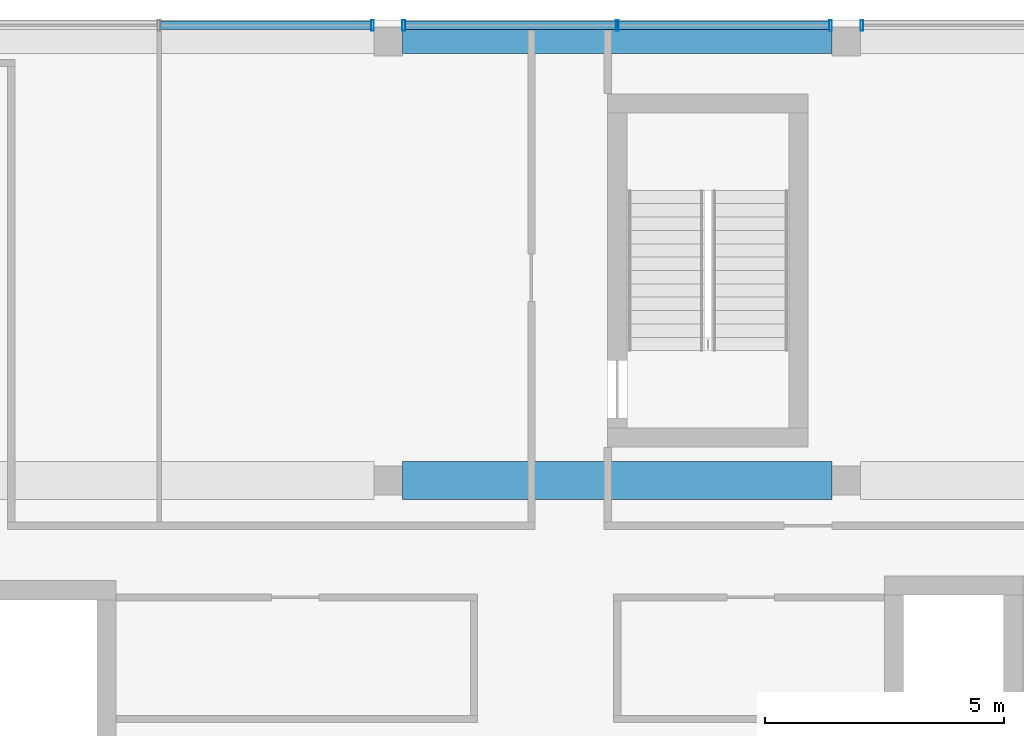
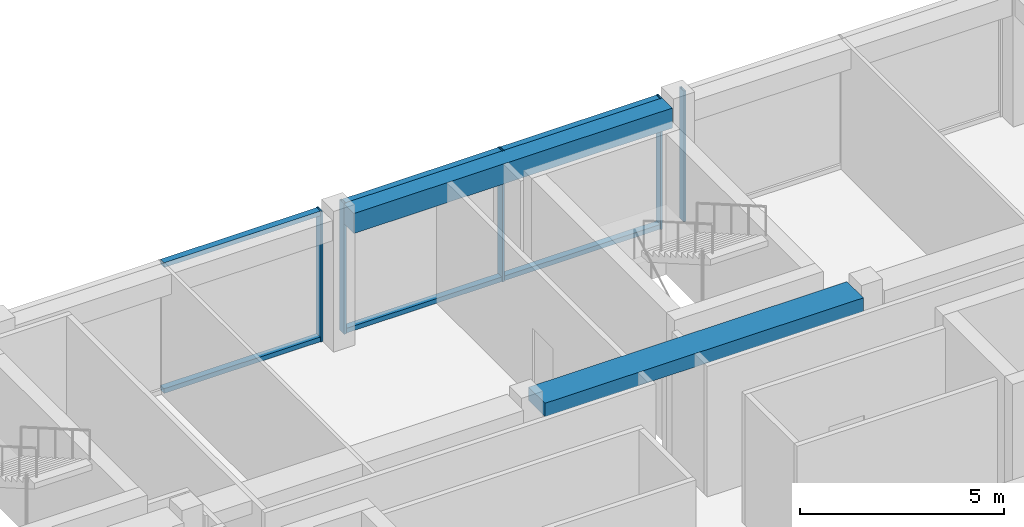
# One storey, part 16 of 28: 11 members, 2 beams, 3 elements without a shape of their own.
"""IFC4 building model written with IfcOpenShell, lengths in metres."""

from ifc_helpers import new_model, si_unit, direction, frame, origin, origin_2d, place, context, subcontext, project, spatial, rectangle, hollow_rectangle, extrude, material, layer, layer_set, material_profile, profile_set, type_object, element, aggregate, save


model = new_model("IFC4")

# Units and contexts
model_context = context("Model", 3, precision=1e-05, world=origin(), true_north=direction((0.0, 1.0)))
body_context = subcontext(model_context, "Body", "Model", "MODEL_VIEW")
ifc_project = project(units=[si_unit("LENGTHUNIT", "METRE"), si_unit("AREAUNIT", "SQUARE_METRE"), si_unit("VOLUMEUNIT", "CUBIC_METRE"), si_unit("PLANEANGLEUNIT", "RADIAN"), si_unit("MASSUNIT", "GRAM", prefix="KILO")], contexts=[model_context])

# Site, building, storey
site_placement = place(None, origin())
site = spatial("IfcSite", under=ifc_project, at=site_placement, CompositionType="ELEMENT")
building_placement = place(site_placement, origin())
building = spatial("IfcBuilding", under=site, at=building_placement, Name="Nzadi Deep Aquarium and Research Tower", CompositionType="ELEMENT")
storey_placement = place(building_placement, frame((0.0, 0.0, 73.89990234375)))
storey = spatial("IfcBuildingStorey", under=building, at=storey_placement, Name="L15", CompositionType="ELEMENT", Elevation=73.89990234375)

# Curtain wall, member
ifc_material_1 = material(Name="Aluminium unitised frame deep", Category="aluminium")
ifc_layer = layer(ifc_material_1, 0.22509765625)
ifc_layer_set = layer_set([ifc_layer], Name="Aluminium unitised frame deep")
curtain_wall_type = type_object("IfcCurtainWallType", Name="Curtain wall Unitised Deep 225", PredefinedType="NOTDEFINED", material=ifc_layer_set)
curtain_wall_1_placement = place(storey_placement, origin())
curtain_wall_1 = element("IfcCurtainWall", 1, at=curtain_wall_1_placement, inside=storey, type_object=curtain_wall_type, Name="Unitised curtain wall blade B north L15", PredefinedType="NOTDEFINED")
ifc_material_2 = material(Name="Aluminium unitised frame deep", Category="aluminium")
ifc_material_profile_1 = material_profile(ifc_material_2, hollow_rectangle(XDim=0.22509765625, YDim=0.06005859375, WallThickness=0.0048828125, at=origin_2d()))
ifc_profile_set_1 = profile_set([ifc_material_profile_1], Name="Aluminium unitised frame deep")
member_type_1 = type_object("IfcMemberType", Name="Mullion 60x225 Unitised Deep", PredefinedType="MULLION", material=ifc_profile_set_1)
member_1_placement = place(storey_placement, frame((18.8701171875, 46.33740234375, 0.0), z_axis=(0.0, 0.0, 1.0), x_axis=(0.0, 1.0, 0.0)))
member_1 = element("IfcMember", 2, at=member_1_placement, type_object=member_type_1, Name="CW189 mullion 3", PredefinedType="MULLION", context=body_context, shape_type="SweptSolid", body=[
    extrude(hollow_rectangle(XDim=0.22509765625, YDim=0.06005859375, WallThickness=0.0048828125, at=origin_2d()), origin(), (0.0, 0.0, 1.0), 3.900146484375),
])

# Curtain wall, members
curtain_wall_2_placement = place(storey_placement, origin())
curtain_wall_2 = element("IfcCurtainWall", 3, at=curtain_wall_2_placement, inside=storey, type_object=curtain_wall_type, Name="Unitised curtain wall blade B north L15", PredefinedType="NOTDEFINED")
member_2_placement = place(storey_placement, frame((19.530029296875, 46.33740234375, 0.0), z_axis=(0.0, 0.0, 1.0), x_axis=(0.0, 1.0, 0.0)))
member_2 = element("IfcMember", 4, at=member_2_placement, type_object=member_type_1, Name="CW190 mullion 1", PredefinedType="MULLION", context=body_context, shape_type="SweptSolid", body=[
    extrude(hollow_rectangle(XDim=0.22509765625, YDim=0.06005859375, WallThickness=0.0048828125, at=origin_2d()), origin(), (0.0, 0.0, 1.0), 3.900146484375),
])
member_3_placement = place(storey_placement, frame((24.0, 46.33740234375, 0.0), z_axis=(0.0, 0.0, 1.0), x_axis=(0.0, 1.0, 0.0)))
member_3 = element("IfcMember", 5, at=member_3_placement, type_object=member_type_1, Name="CW190 mullion 2", PredefinedType="MULLION", context=body_context, shape_type="SweptSolid", body=[
    extrude(hollow_rectangle(XDim=0.22509765625, YDim=0.06005859375, WallThickness=0.0048828125, at=origin_2d()), origin(), (0.0, 0.0, 1.0), 3.900146484375),
])
member_4_placement = place(storey_placement, frame((28.469970703125, 46.33740234375, 0.0), z_axis=(0.0, 0.0, 1.0), x_axis=(0.0, 1.0, 0.0)))
member_4 = element("IfcMember", 6, at=member_4_placement, type_object=member_type_1, Name="CW190 mullion 3", PredefinedType="MULLION", context=body_context, shape_type="SweptSolid", body=[
    extrude(hollow_rectangle(XDim=0.22509765625, YDim=0.06005859375, WallThickness=0.0048828125, at=origin_2d()), origin(), (0.0, 0.0, 1.0), 3.900146484375),
])

# Curtain wall, member
curtain_wall_3_placement = place(storey_placement, origin())
curtain_wall_3 = element("IfcCurtainWall", 7, at=curtain_wall_3_placement, inside=storey, type_object=curtain_wall_type, Name="Unitised curtain wall blade B north L15", PredefinedType="NOTDEFINED")
member_5_placement = place(storey_placement, frame((29.1298828125, 46.33740234375, 0.0), z_axis=(0.0, 0.0, 1.0), x_axis=(0.0, 1.0, 0.0)))
member_5 = element("IfcMember", 8, at=member_5_placement, type_object=member_type_1, Name="CW191 mullion 1", PredefinedType="MULLION", context=body_context, shape_type="SweptSolid", body=[
    extrude(hollow_rectangle(XDim=0.22509765625, YDim=0.06005859375, WallThickness=0.0048828125, at=origin_2d()), origin(), (0.0, 0.0, 1.0), 3.900146484375),
])
aggregate(curtain_wall_3, [member_5])

# Beams
ifc_material_3 = material(Name="Concrete C35/45", Category="concrete")
ifc_material_profile_2 = material_profile(ifc_material_3, rectangle(XDim=0.5, YDim=0.60009765625, at=origin_2d()))
ifc_profile_set_2 = profile_set([ifc_material_profile_2], Name="Concrete C35/45")
beam_type_1 = type_object("IfcBeamType", Name="RC 500x600", PredefinedType="BEAM", material=ifc_profile_set_2)
beam_1_placement = place(storey_placement, frame((19.5, 46.0, 3.60009765625), z_axis=(1.0, 0.0, 0.0), x_axis=(0.0, 1.0, 0.0)))
element("IfcBeam", 9, at=beam_1_placement, inside=storey, type_object=beam_type_1, Name="B-Z1-L15-L6-3", PredefinedType="BEAM", context=body_context, shape_type="SweptSolid", body=[
    extrude(rectangle(XDim=0.5, YDim=0.60009765625, at=origin_2d()), origin(), (0.0, 0.0, 1.0), 9.0),
])
ifc_material_4 = material(Name="Concrete C35/45", Category="concrete")
ifc_material_profile_3 = material_profile(ifc_material_4, rectangle(XDim=0.800048828125, YDim=0.39990234375, at=origin_2d()))
ifc_profile_set_3 = profile_set([ifc_material_profile_3], Name="Concrete C35/45")
beam_type_2 = type_object("IfcBeamType", Name="RC 800x400", PredefinedType="BEAM", material=ifc_profile_set_3)
beam_2_placement = place(storey_placement, frame((19.5, 36.800048828125, 3.7001953125), z_axis=(1.0, 0.0, 0.0), x_axis=(0.0, 1.0, 0.0)))
element("IfcBeam", 10, at=beam_2_placement, inside=storey, type_object=beam_type_2, Name="B-Z1-L15-L5-3", PredefinedType="BEAM", context=body_context, shape_type="SweptSolid", body=[
    extrude(rectangle(XDim=0.800048828125, YDim=0.39990234375, at=origin_2d()), origin(), (0.0, 0.0, 1.0), 9.0),
])

# Member
ifc_material_5 = material(Name="Aluminium unitised frame deep", Category="aluminium")
ifc_material_profile_4 = material_profile(ifc_material_5, hollow_rectangle(XDim=0.179931640625, YDim=0.139892578125, WallThickness=0.0048828125, at=origin_2d()))
ifc_profile_set_4 = profile_set([ifc_material_profile_4], Name="Aluminium unitised frame deep")
member_type_2 = type_object("IfcMemberType", Name="Transom 140x180 Unitised Deep", PredefinedType="MULLION", material=ifc_profile_set_4)
member_6_placement = place(storey_placement, frame((14.429931640625, 46.33740234375, 0.070068359375), z_axis=(1.0, 0.0, 0.0), x_axis=(0.0, 1.0, 0.0)))
member_6 = element("IfcMember", 11, at=member_6_placement, type_object=member_type_2, Name="CW189 transom 2.1", PredefinedType="MULLION", context=body_context, shape_type="SweptSolid", body=[
    extrude(hollow_rectangle(XDim=0.179931640625, YDim=0.139892578125, WallThickness=0.0048828125, at=origin_2d()), origin(), (0.0, 0.0, 1.0), 4.41015625),
])

member_7_placement = place(storey_placement, frame((14.429931640625, 46.33740234375, 3.830078125), z_axis=(1.0, 0.0, 0.0), x_axis=(0.0, 1.0, 0.0)))
member_7 = element("IfcMember", 12, at=member_7_placement, type_object=member_type_2, Name="CW189 transom 2.2", PredefinedType="MULLION", context=body_context, shape_type="SweptSolid", body=[
    extrude(hollow_rectangle(XDim=0.179931640625, YDim=0.139892578125, WallThickness=0.0048828125, at=origin_2d()), origin(), (0.0, 0.0, 1.0), 4.41015625),
])

aggregate(curtain_wall_1, [member_1, member_6, member_7])

member_8_placement = place(storey_placement, frame((19.56005859375, 46.33740234375, 0.070068359375), z_axis=(1.0, 0.0, 0.0), x_axis=(0.0, 1.0, 0.0)))
member_8 = element("IfcMember", 13, at=member_8_placement, type_object=member_type_2, Name="CW190 transom 1.1", PredefinedType="MULLION", context=body_context, shape_type="SweptSolid", body=[
    extrude(hollow_rectangle(XDim=0.179931640625, YDim=0.139892578125, WallThickness=0.0048828125, at=origin_2d()), origin(), (0.0, 0.0, 1.0), 4.409912109375),
])

member_9_placement = place(storey_placement, frame((19.56005859375, 46.33740234375, 3.830078125), z_axis=(1.0, 0.0, 0.0), x_axis=(0.0, 1.0, 0.0)))
member_9 = element("IfcMember", 14, at=member_9_placement, type_object=member_type_2, Name="CW190 transom 1.2", PredefinedType="MULLION", context=body_context, shape_type="SweptSolid", body=[
    extrude(hollow_rectangle(XDim=0.179931640625, YDim=0.139892578125, WallThickness=0.0048828125, at=origin_2d()), origin(), (0.0, 0.0, 1.0), 4.409912109375),
])

member_10_placement = place(storey_placement, frame((24.030029296875, 46.33740234375, 0.070068359375), z_axis=(1.0, 0.0, 0.0), x_axis=(0.0, 1.0, 0.0)))
member_10 = element("IfcMember", 15, at=member_10_placement, type_object=member_type_2, Name="CW190 transom 2.1", PredefinedType="MULLION", context=body_context, shape_type="SweptSolid", body=[
    extrude(hollow_rectangle(XDim=0.179931640625, YDim=0.139892578125, WallThickness=0.0048828125, at=origin_2d()), origin(), (0.0, 0.0, 1.0), 4.409912109375),
])

member_11_placement = place(storey_placement, frame((24.030029296875, 46.33740234375, 3.830078125), z_axis=(1.0, 0.0, 0.0), x_axis=(0.0, 1.0, 0.0)))
member_11 = element("IfcMember", 16, at=member_11_placement, type_object=member_type_2, Name="CW190 transom 2.2", PredefinedType="MULLION", context=body_context, shape_type="SweptSolid", body=[
    extrude(hollow_rectangle(XDim=0.179931640625, YDim=0.139892578125, WallThickness=0.0048828125, at=origin_2d()), origin(), (0.0, 0.0, 1.0), 4.409912109375),
])

aggregate(curtain_wall_2, [member_2, member_3, member_4, member_8, member_9, member_10, member_11])

save(model, "model.ifc")
